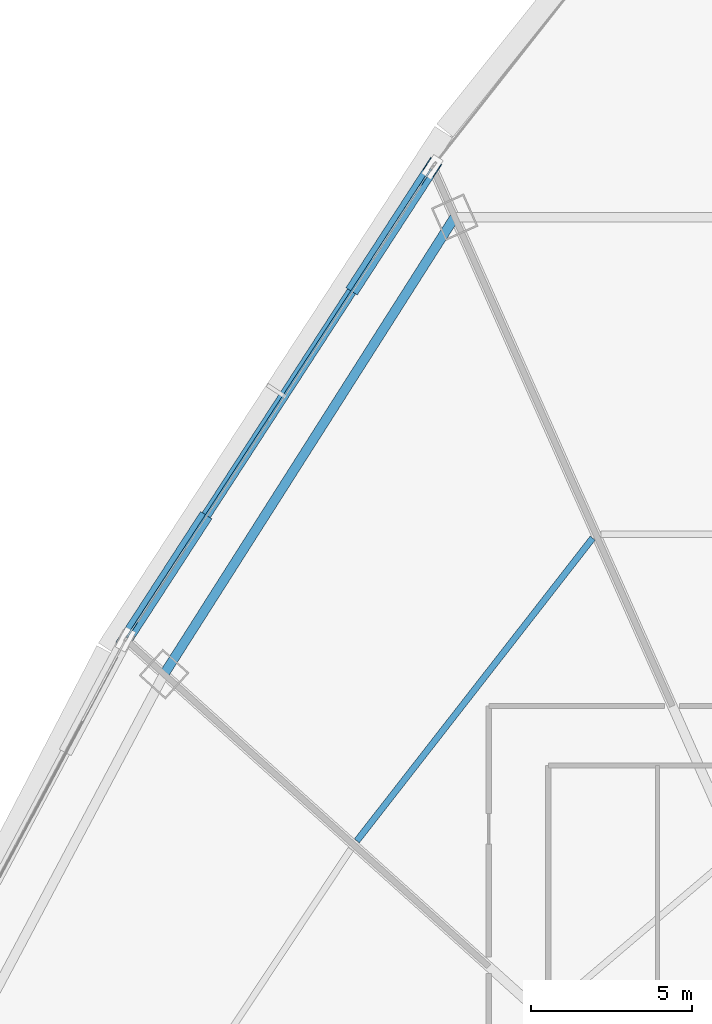
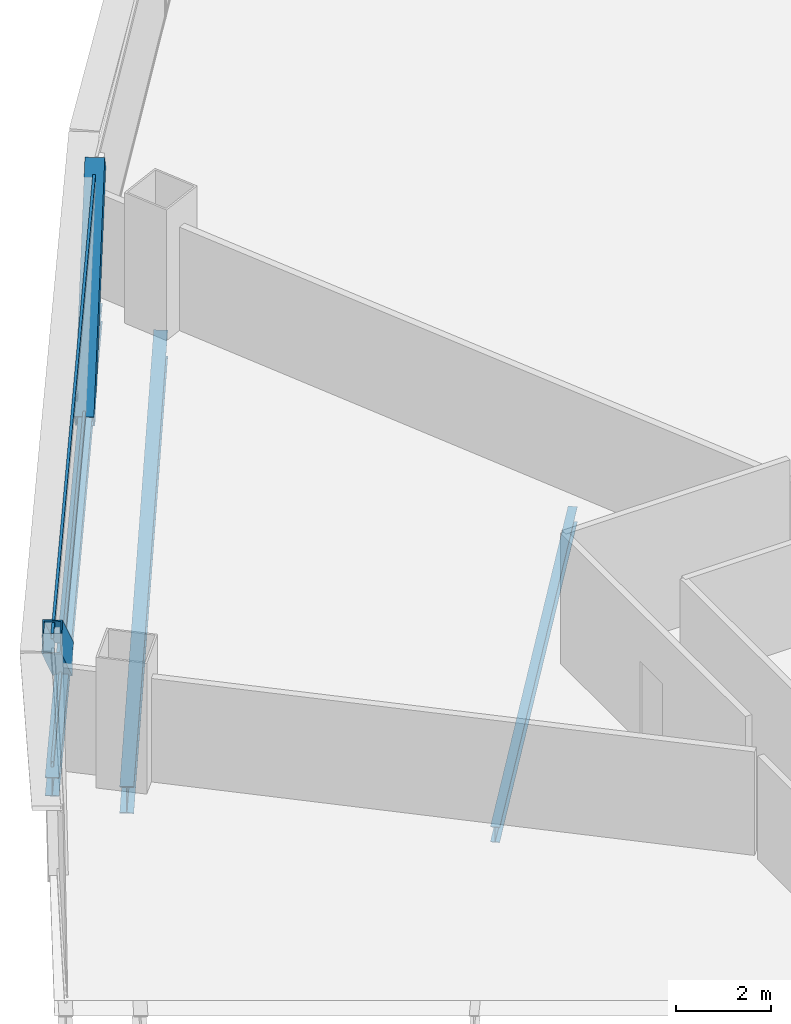
# One storey, part 17 of 42: 4 members, 3 beams, 1 element without a shape of its own.
"""IFC4 building model written with IfcOpenShell, lengths in metres."""

from ifc_helpers import new_model, si_unit, direction, frame, origin, origin_2d, place, context, subcontext, project, spatial, hollow_rectangle, i_section, extrude, source, transform, mapped, material, layer, layer_set, material_profile, profile_set, type_object, element, aggregate, save


model = new_model("IFC4")

# Units and contexts
model_context = context("Model", 3, precision=1e-05, world=origin(), true_north=direction((0.0, 1.0)))
body_context = subcontext(model_context, "Body", "Model", "MODEL_VIEW")
ifc_project = project(units=[si_unit("LENGTHUNIT", "METRE"), si_unit("AREAUNIT", "SQUARE_METRE"), si_unit("VOLUMEUNIT", "CUBIC_METRE"), si_unit("PLANEANGLEUNIT", "RADIAN"), si_unit("MASSUNIT", "GRAM", prefix="KILO"), si_unit("THERMODYNAMICTEMPERATUREUNIT", "KELVIN"), si_unit("POWERUNIT", "WATT")], contexts=[model_context])

# Site, building, storey
site_placement = place(None, origin())
site = spatial("IfcSite", under=ifc_project, at=site_placement, CompositionType="ELEMENT")
building_placement = place(site_placement, origin())
building = spatial("IfcBuilding", under=site, at=building_placement, Name="Yunzhuo Pagoda Commons", CompositionType="ELEMENT")
storey_placement = place(building_placement, frame((0.0, 0.0, 44.919921875)))
storey = spatial("IfcBuildingStorey", under=building, at=storey_placement, Name="L11", CompositionType="ELEMENT", Elevation=44.919921875)

# Beams
ifc_material_1 = material(Name="Structural steel Q355B", Category="steel")
ifc_material_profile_1 = material_profile(ifc_material_1, i_section(OverallWidth=0.300048828125, OverallDepth=0.699951171875, WebThickness=0.012939453125, FlangeThickness=0.02392578125, at=origin_2d()), Name="Structural steel Q355B")
ifc_profile_set_1 = profile_set([ifc_material_profile_1], Name="Structural steel Q355B")
beam_type_1 = type_object("IfcBeamType", Name="B-RG1 Beam HN 700x300x13x24", PredefinedType="BEAM", material=ifc_profile_set_1)
shared_shape_1 = source(origin(), body_context, "Body", "SweptSolid", [
    extrude(i_section(OverallWidth=0.300048828125, OverallDepth=0.699951171875, WebThickness=0.012939453125, FlangeThickness=0.02392578125, at=origin_2d()), origin(), (0.0, 0.0, 1.0), 16.843994140625),
])
beam_1_placement = place(storey_placement, frame((31.38916015625, 71.008544921875, -0.60986328125), z_axis=(-0.536558458992, -0.843863152462, 0.0), x_axis=(0.843863152462, -0.536558458992, 0.0)))
element("IfcBeam", 1, at=beam_1_placement, inside=storey, type_object=beam_type_1, Name="L11 column-ring beam 9", PredefinedType="BEAM", context=body_context, shape_type="MappedRepresentation", body=[
    mapped(shared_shape_1, transform((0.0, 0.0, 0.0), scale=1.0)),
])
ifc_material_profile_2 = material_profile(ifc_material_1, i_section(OverallWidth=0.199951171875, OverallDepth=0.39990234375, WebThickness=0.008056640625, FlangeThickness=0.012939453125, at=origin_2d()), Name="Structural steel Q355B")
ifc_profile_set_2 = profile_set([ifc_material_profile_2], Name="Structural steel Q355B")
beam_type_2 = type_object("IfcBeamType", Name="B-JS1 Joist HN 400x200x8x13", PredefinedType="JOIST", material=ifc_profile_set_2)
shared_shape_2 = source(origin(), body_context, "Body", "SweptSolid", [
    extrude(i_section(OverallWidth=0.199951171875, OverallDepth=0.39990234375, WebThickness=0.008056640625, FlangeThickness=0.012939453125, at=origin_2d()), origin(), (0.0, 0.0, 1.0), 11.934326171875),
])
beam_2_placement = place(storey_placement, frame((35.680908203125, 61.0244140625, -0.4599609375), z_axis=(-0.614546587023, -0.788880531119, 0.0), x_axis=(0.788880531119, -0.614546587023, 0.0)))
element("IfcBeam", 2, at=beam_2_placement, inside=storey, type_object=beam_type_2, Name="L11 composite ring joist 2.9", PredefinedType="JOIST", context=body_context, shape_type="MappedRepresentation", body=[
    mapped(shared_shape_2, transform((0.0, 0.0, 0.0), scale=1.0)),
])
ifc_material_profile_3 = material_profile(ifc_material_1, i_section(OverallWidth=0.300048828125, OverallDepth=0.488037109375, WebThickness=0.010986328125, FlangeThickness=0.01806640625, at=origin_2d()), Name="Structural steel Q355B")
ifc_profile_set_3 = profile_set([ifc_material_profile_3], Name="Structural steel Q355B")
beam_type_3 = type_object("IfcBeamType", Name="B-SP1 Beam HM 488x300x11x18", PredefinedType="BEAM", material=ifc_profile_set_3)
shared_shape_3 = source(origin(), body_context, "Body", "SweptSolid", [
    extrude(i_section(OverallWidth=0.300048828125, OverallDepth=0.488037109375, WebThickness=0.010986328125, FlangeThickness=0.01806640625, at=origin_2d()), origin(), (0.0, 0.0, 1.0), 17.521728515625),
])
beam_3_placement = place(storey_placement, frame((30.694580078125, 72.56884765625, -0.50390625), z_axis=(-0.544582276672, -0.838707424514, 0.0), x_axis=(0.838707424514, -0.544582276672, 0.0)))
element("IfcBeam", 3, at=beam_3_placement, inside=storey, type_object=beam_type_3, Name="L11 facade edge spandrel beam F3.1", PredefinedType="BEAM", context=body_context, shape_type="MappedRepresentation", body=[
    mapped(shared_shape_3, transform((0.0, 0.0, 0.0), scale=1.0)),
])

# Members
ifc_material_2 = material(Name="Structural steel Q420B", Category="steel")
ifc_material_profile_4 = material_profile(ifc_material_2, hollow_rectangle(XDim=0.419921875, YDim=0.719970703125, WallThickness=0.028076171875, at=origin_2d()), Name="Structural steel Q420B")
ifc_profile_set_4 = profile_set([ifc_material_profile_4], Name="Structural steel Q420B")
member_type_1 = type_object("IfcMemberType", Name="M-DL1 Brace BOX 720x420x28", PredefinedType="BRACE", material=ifc_profile_set_4)
shared_shape_4 = source(origin(), body_context, "Body", "SweptSolid", [
    extrude(hollow_rectangle(XDim=0.419921875, YDim=0.719970703125, WallThickness=0.028076171875, at=origin_2d()), origin(), (0.0, 0.0, 1.0), 5.68896484375),
])
for number, where, z_axis, x_axis, name in (
    (4, (28.30908203125, 68.895263671875, -0.260009765625), (0.41932462923, 0.645745337839, 0.638106428412), (-0.838686761219, 0.544614098749, 0.0), "L11 facade diamond brace F3.1L"),
    (5, (23.5380859375, 61.547119140625, -0.260009765625), (-0.419313008875, -0.645770356929, 0.63808874516), (0.838703292145, -0.544588640852, 0.0), "L11 facade diamond brace F3.1R"),
):
    element("IfcMember", number, at=place(storey_placement, frame(where, z_axis=z_axis, x_axis=x_axis)), inside=storey, type_object=member_type_1, Name=name, PredefinedType="BRACE", context=body_context, shape_type="MappedRepresentation", body=[
        mapped(shared_shape_4, transform((0.0, 0.0, 0.0), scale=1.0)),
    ])

# Curtain wall, members
ifc_material_3 = material(Name="Anodized aluminium 6063-T6", Category="aluminium")
ifc_layer = layer(ifc_material_3, 0.1650390625)
ifc_layer_set = layer_set([ifc_layer], Name="Anodized aluminium 6063-T6")
curtain_wall_type = type_object("IfcCurtainWallType", Name="CW-LOW Low-Zone Ribbon Curtain Wall", PredefinedType="NOTDEFINED", material=ifc_layer_set)
curtain_wall_placement = place(storey_placement, origin())
curtain_wall = element("IfcCurtainWall", 6, at=curtain_wall_placement, inside=storey, type_object=curtain_wall_type, Name="L11 curtain wall CW-L11-F3B2", PredefinedType="NOTDEFINED")
ifc_material_profile_5 = material_profile(ifc_material_3, hollow_rectangle(XDim=0.06005859375, YDim=0.139892578125, WallThickness=0.00341796875, at=origin_2d()), Name="Anodized aluminium 6063-T6")
ifc_profile_set_5 = profile_set([ifc_material_profile_5], Name="Anodized aluminium 6063-T6")
member_type_2 = type_object("IfcMemberType", Name="CW-LOW-T Transom RHS 140x60x3.5", PredefinedType="USERDEFINED", material=ifc_profile_set_5)
shared_shape_5 = source(origin(), body_context, "Body", "SweptSolid", [
    extrude(hollow_rectangle(XDim=0.06005859375, YDim=0.139892578125, WallThickness=0.00341796875, at=origin_2d()), origin(), (0.0, 0.0, 1.0), 17.391357421875),
])
member_1_placement = place(storey_placement, frame((30.6591796875, 72.514404296875, 0.030029296875), z_axis=(-0.544591079988, -0.838701708355, 0.0), x_axis=(0.838701708355, -0.544591079988, 0.0)))
member_1 = element("IfcMember", 7, at=member_1_placement, type_object=member_type_2, Name="CW transom 1.1", ObjectType="TRANSOM", PredefinedType="USERDEFINED", context=body_context, shape_type="MappedRepresentation", body=[
    mapped(shared_shape_5, transform((0.0, 0.0, 0.0), scale=1.0)),
])
member_2_placement = place(storey_placement, frame((30.6591796875, 72.514404296875, 3.340087890625), z_axis=(-0.544591079988, -0.838701708355, 0.0), x_axis=(0.838701708355, -0.544591079988, 0.0)))
member_2 = element("IfcMember", 8, at=member_2_placement, type_object=member_type_2, Name="CW transom 1.2", ObjectType="TRANSOM", PredefinedType="USERDEFINED", context=body_context, shape_type="MappedRepresentation", body=[
    mapped(shared_shape_5, transform((0.0, 0.0, 0.0), scale=1.0)),
])
aggregate(curtain_wall, [member_1, member_2])

save(model, "model.ifc")
